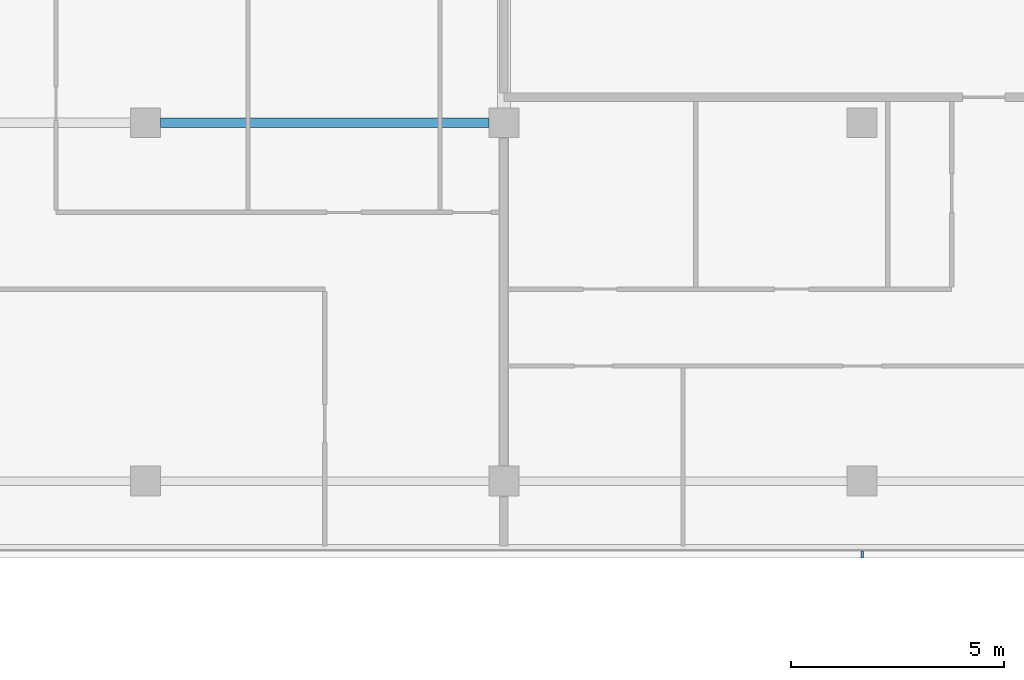
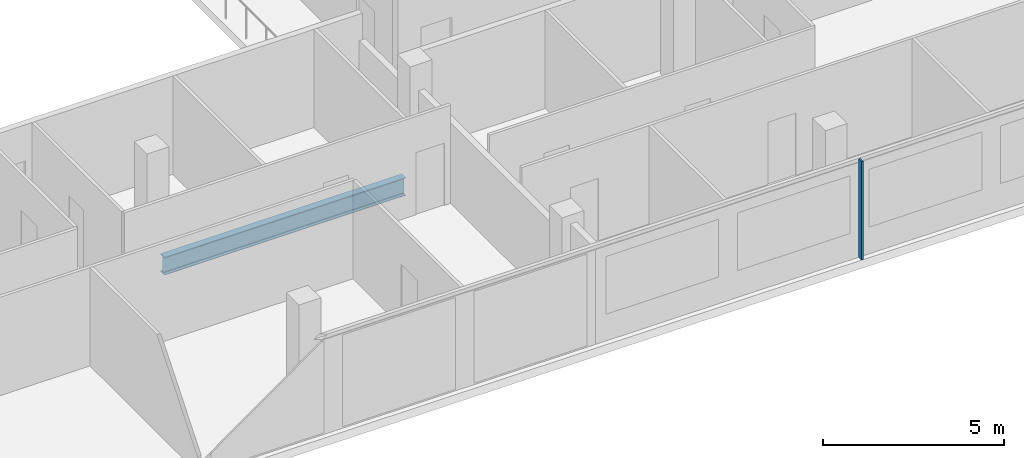
# One storey, part 8 of 30: 1 beam, 1 member, 1 element without a shape of its own.
"""IFC4 building model written with IfcOpenShell, lengths in metres."""

import ifcopenshell
import ifcopenshell.guid

model = None  # the IFC model being written
_history = None  # IfcOwnerHistory: only IFC2X3 demands one
_inside = {}  # id of a spatial element -> (the spatial element, [elements in it])
_under = {}  # id of a project, library or spatial element -> (it, [spatial elements below it])
_declared = {}  # id of a project -> (the project, [libraries it declares])
_typed = {}  # id of a type object -> (the type object, [elements of that type])
_made_of = {}  # id of a material, layer set ... -> (it, [elements and type objects made of it])


def new_model(schema):
    """Start an empty IFC model of exactly this schema.

    Asked for "IFC4X3", IfcOpenShell would pick the latest addendum, in which some entities
    have other attributes; the version numbers below select the first issue.
    IFC2X3 requires an IfcOwnerHistory on every rooted entity: one is made here for all.
    """
    global model, _history
    if schema == "IFC4X3":
        model = ifcopenshell.file(schema_version=(4, 3, 0, 0))
    else:
        model = ifcopenshell.file(schema=schema)
    _inside.clear()
    _under.clear()
    _declared.clear()
    _typed.clear()
    _made_of.clear()
    _history = None
    if model.schema == "IFC2X3":
        org = make("IfcOrganization", Name="unknown")
        user = make(
            "IfcPersonAndOrganization",
            ThePerson=make("IfcPerson", FamilyName="unknown"),
            TheOrganization=org,
        )
        app = make(
            "IfcApplication",
            ApplicationDeveloper=org,
            Version="unknown",
            ApplicationFullName="unknown",
            ApplicationIdentifier="unknown",
        )
        _history = make(
            "IfcOwnerHistory",
            OwningUser=user,
            OwningApplication=app,
            ChangeAction="ADDED",
            CreationDate=0,
        )
    return model


def make(cls, **values):
    """One entity of the class cls with the attributes given. An attribute that is None is left unset."""
    return model.create_entity(
        cls, **{name: value for name, value in values.items() if value is not None}
    )


def rooted(cls, **values):
    """An entity with a GlobalId (a new one), such as an element, a storey or a relation."""
    return make(cls, GlobalId=ifcopenshell.guid.new(), OwnerHistory=_history, **values)


def si_unit(unit_type, name, prefix=None):
    """IfcSIUnit, for example si_unit("LENGTHUNIT", "METRE", prefix="MILLI")."""
    return make("IfcSIUnit", UnitType=unit_type, Prefix=prefix, Name=name)


def assignment(units):
    """IfcUnitAssignment: the units of a project."""
    return None if units is None else make("IfcUnitAssignment", Units=units)


def point(xyz):
    """IfcCartesianPoint."""
    return None if xyz is None else make("IfcCartesianPoint", Coordinates=xyz)


def direction(xyz):
    """IfcDirection."""
    return None if xyz is None else make("IfcDirection", DirectionRatios=xyz)


def frame(location, z_axis=None, x_axis=None):
    """IfcAxis2Placement3D, a coordinate frame: its origin and axes. An axis left out is left unset."""
    return make(
        "IfcAxis2Placement3D",
        Location=point(location),
        Axis=direction(z_axis),
        RefDirection=direction(x_axis),
    )


def frame_2d(location, x_axis=None):
    """IfcAxis2Placement2D, a coordinate frame in the plane: its origin and x axis."""
    return make(
        "IfcAxis2Placement2D", Location=point(location), RefDirection=direction(x_axis)
    )


def origin():
    """The frame at (0, 0, 0) with its axes left unset."""
    return frame((0.0, 0.0, 0.0))


def origin_2d():
    """The frame at (0, 0) in the plane with its x axis left unset."""
    return frame_2d((0.0, 0.0))


def place(relative_to, where):
    """IfcLocalPlacement: puts the frame where relative to a parent placement (None: the world)."""
    return make(
        "IfcLocalPlacement", PlacementRelTo=relative_to, RelativePlacement=where
    )


def context(
    kind, dimensions, precision=None, world=None, true_north=None, identifier=None
):
    """IfcGeometricRepresentationContext, for example the 3D "Model" context."""
    return make(
        "IfcGeometricRepresentationContext",
        ContextIdentifier=identifier,
        ContextType=kind,
        CoordinateSpaceDimension=dimensions,
        Precision=precision,
        WorldCoordinateSystem=world,
        TrueNorth=true_north,
    )


def subcontext(parent, identifier, kind, view, scale=None):
    """IfcGeometricRepresentationSubContext, for example "Body" below "Model"."""
    return make(
        "IfcGeometricRepresentationSubContext",
        ContextIdentifier=identifier,
        ContextType=kind,
        ParentContext=parent,
        TargetScale=scale,
        TargetView=view,
    )


def project(units=None, contexts=None):
    """IfcProject with its units and contexts."""
    return rooted(
        "IfcProject",
        Name="project",
        RepresentationContexts=contexts,
        UnitsInContext=assignment(units),
    )


def spatial(cls, under=None, at=None, **own):
    """A site, building, storey or space (cls), placed at a placement, below another one or the project."""
    s = rooted(cls, ObjectPlacement=at, **own)
    if under is not None:
        _under.setdefault(under.id(), (under, []))[1].append(s)
    return s


def profile(cls, at=None, kind="AREA", **sizes):
    """A parametric profile (cls). Its sizes go by their IFC names, for example OverallWidth=200.0."""
    return make(cls, ProfileType=kind, Position=at, **sizes)


def rectangle(**sizes):
    """IfcRectangleProfileDef."""
    return profile("IfcRectangleProfileDef", **sizes)


def i_section(**sizes):
    """IfcIShapeProfileDef."""
    return profile("IfcIShapeProfileDef", **sizes)


def extrude(swept, where, along, depth):
    """IfcExtrudedAreaSolid: the profile swept, set in the frame where, extruded along a direction by depth."""
    return make(
        "IfcExtrudedAreaSolid",
        SweptArea=swept,
        Position=where,
        ExtrudedDirection=direction(along),
        Depth=depth,
    )


def shape(context_of_items, identifier, shape_type, items):
    """IfcShapeRepresentation: the items that make up one representation, for example the "Body"."""
    return make(
        "IfcShapeRepresentation",
        ContextOfItems=context_of_items,
        RepresentationIdentifier=identifier,
        RepresentationType=shape_type,
        Items=items,
    )


def material(Name=None, Category=None):
    """IfcMaterial."""
    return make("IfcMaterial", Name=Name, Category=Category)


def material_profile(
    of_material, cross_section, Name=None, Category=None, Priority=None
):
    """IfcMaterialProfile: a cross section and its material."""
    return make(
        "IfcMaterialProfile",
        Name=Name,
        Material=of_material,
        Profile=cross_section,
        Priority=Priority,
        Category=Category,
    )


def profile_set(profiles, Name=None, composite=None):
    """IfcMaterialProfileSet."""
    return make(
        "IfcMaterialProfileSet",
        Name=Name,
        MaterialProfiles=profiles,
        CompositeProfile=composite,
    )


def made_of(thing, what):
    """Note that an element or type object is made of a material, layer set ...; save() writes the relation."""
    if what is not None:
        _made_of.setdefault(what.id(), (what, []))[1].append(thing)
    return thing


def type_object(cls, material=None, **own):
    """A type object (cls), such as IfcWallType, which elements share."""
    return made_of(rooted(cls, **own), material)


def element(
    cls,
    number,
    at=None,
    inside=None,
    cuts=None,
    type_object=None,
    material=None,
    context=None,
    identifier="Body",
    shape_type=None,
    held_by="IfcProductDefinitionShape",
    body=None,
    shapes=None,
    **own,
):
    """One element of the class cls, such as IfcWall. Its Tag is "e" and its number.

    at: its placement. inside: the storey or other place that contains it. cuts: it is an
    opening in that element (IfcRelVoidsElement). A single representation is given by context,
    identifier, shape_type and body (its items); several are given by shapes. held_by: the class
    of the entity that holds the representations. save() writes the other relations.
    """
    e = rooted(cls, Tag="e%d" % number, ObjectPlacement=at, **own)
    if body is not None:
        shapes = [shape(context, identifier, shape_type, body)]
    if shapes is not None:
        e.Representation = make(held_by, Representations=shapes)
    if inside is not None:
        _inside.setdefault(inside.id(), (inside, []))[1].append(e)
    if cuts is not None:
        rooted(
            "IfcRelVoidsElement", RelatingBuildingElement=cuts, RelatedOpeningElement=e
        )
    if type_object is not None:
        _typed.setdefault(type_object.id(), (type_object, []))[1].append(e)
    return made_of(e, material)


def aggregate(whole, parts):
    """IfcRelAggregates: a whole, such as a stair, and the parts it consists of."""
    return rooted("IfcRelAggregates", RelatingObject=whole, RelatedObjects=parts)


def save(model, path):
    """Write the relations noted so far, then the file.

    IfcRelAggregates (storeys below a building ...), IfcRelContainedInSpatialStructure (elements
    in a storey), IfcRelDefinesByType, IfcRelAssociatesMaterial and IfcRelDeclares: one each for
    every whole, place, type object, material and project.
    """
    for whole, parts in _under.values():
        aggregate(whole, parts)
    for where, things in _inside.values():
        rooted(
            "IfcRelContainedInSpatialStructure",
            RelatedElements=things,
            RelatingStructure=where,
        )
    for kind, things in _typed.values():
        rooted("IfcRelDefinesByType", RelatedObjects=things, RelatingType=kind)
    for what, things in _made_of.values():
        rooted("IfcRelAssociatesMaterial", RelatedObjects=things, RelatingMaterial=what)
    for by, libraries in _declared.values():
        rooted("IfcRelDeclares", RelatingContext=by, RelatedDefinitions=libraries)
    model.write(path)


model = new_model("IFC4")

# Units and contexts
model_context = context("Model", 3, precision=1e-05, world=origin(), true_north=direction((0.0, 1.0)))
body_context = subcontext(model_context, "Body", "Model", "MODEL_VIEW")
ifc_project = project(units=[si_unit("LENGTHUNIT", "METRE"), si_unit("AREAUNIT", "SQUARE_METRE"), si_unit("VOLUMEUNIT", "CUBIC_METRE"), si_unit("PLANEANGLEUNIT", "RADIAN"), si_unit("MASSUNIT", "GRAM", prefix="KILO")], contexts=[model_context])

# Site, building, storey
site_placement = place(None, origin())
site = spatial("IfcSite", under=ifc_project, at=site_placement, CompositionType="ELEMENT")
building_placement = place(site_placement, origin())
building = spatial("IfcBuilding", under=site, at=building_placement, Name="Saffron Gate Tower", CompositionType="ELEMENT")
storey_placement = place(building_placement, frame((0.0, 0.0, 179.85009765625)))
storey = spatial("IfcBuildingStorey", under=building, at=storey_placement, Name="L44", CompositionType="ELEMENT", Elevation=179.85009765625)

# Beam
ifc_material_1 = material(Name="Structural steel S355", Category="steel")
ifc_material_profile_1 = material_profile(ifc_material_1, i_section(OverallWidth=0.219970703125, OverallDepth=0.60009765625, WebThickness=0.011962890625, FlangeThickness=0.01904296875, FilletRadius=0.02392578125, at=origin_2d()))
ifc_profile_set_1 = profile_set([ifc_material_profile_1], Name="Structural steel S355")
beam_type = type_object("IfcBeamType", Name="B15 IPE 600", PredefinedType="BEAM", material=ifc_profile_set_1)
beam_placement = place(storey_placement, frame((92.14990234375, 40.199951171875, -0.580078125), z_axis=(1.0, 0.0, 0.0), x_axis=(0.0, 1.0, 0.0)))
element("IfcBeam", 1, at=beam_placement, inside=storey, type_object=beam_type, Name="B15 FLOOR GIRDER", PredefinedType="BEAM", context=body_context, shape_type="SweptSolid", body=[
    extrude(i_section(OverallWidth=0.219970703125, OverallDepth=0.60009765625, WebThickness=0.011962890625, FlangeThickness=0.01904296875, FilletRadius=0.02392578125, at=origin_2d()), origin(), (0.0, 0.0, 1.0), 7.7001953125),
])

# Curtain wall, member
ifc_material_2 = material(Name="Aluminium, bronze anodised", Category="aluminium")
curtain_wall_type = type_object("IfcCurtainWallType", Name="CWS1 curtain wall front facade", PredefinedType="NOTDEFINED", material=ifc_material_2)
curtain_wall_placement = place(storey_placement, origin())
curtain_wall = element("IfcCurtainWall", 2, at=curtain_wall_placement, inside=storey, type_object=curtain_wall_type, Name="CWS1 run 1", PredefinedType="NOTDEFINED")
ifc_material_profile_2 = material_profile(ifc_material_2, rectangle(XDim=0.159912109375, YDim=0.06005859375, at=origin_2d()))
ifc_profile_set_2 = profile_set([ifc_material_profile_2], Name="Aluminium, bronze anodised")
member_type = type_object("IfcMemberType", Name="CWS1 mullion 60x160", PredefinedType="MULLION", material=ifc_profile_set_2)
member_placement = place(storey_placement, frame((108.60009765625, 30.080078125, 0.0), z_axis=(0.0, 0.0, 1.0), x_axis=(0.0, 1.0, 0.0)))
member = element("IfcMember", 3, at=member_placement, type_object=member_type, Name="CWS1 mullion 8", PredefinedType="MULLION", context=body_context, shape_type="SweptSolid", body=[
    extrude(rectangle(XDim=0.159912109375, YDim=0.06005859375, at=origin_2d()), origin(), (0.0, 0.0, 1.0), 3.31982421875),
])
aggregate(curtain_wall, [member])

save(model, "model.ifc")
